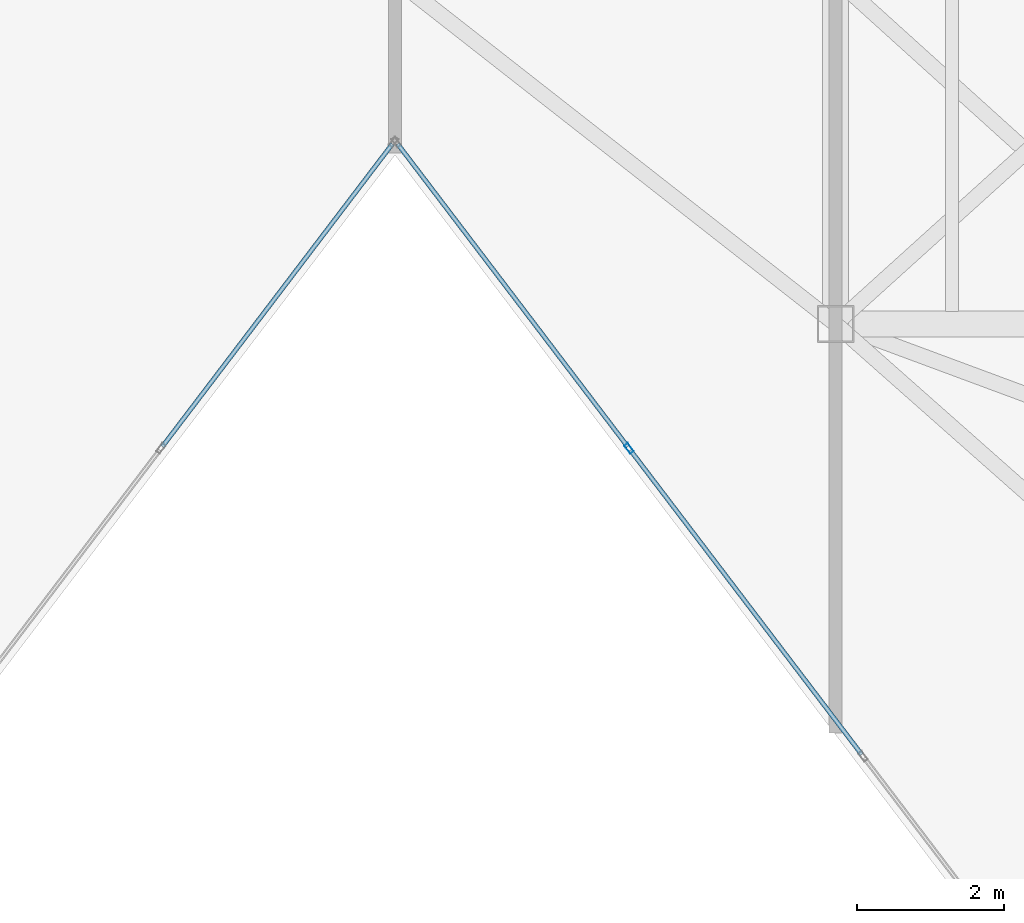
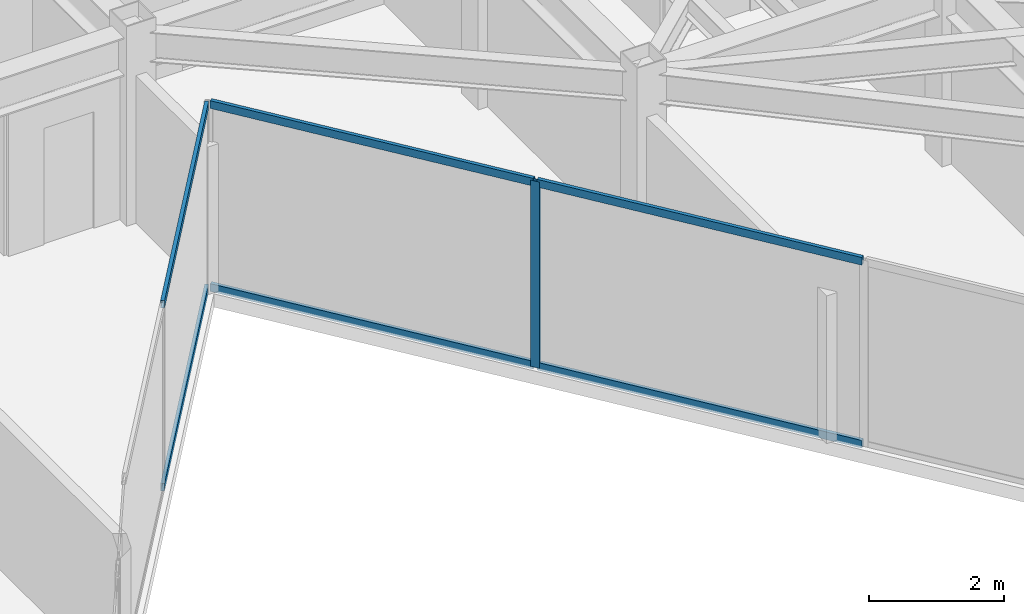
# One storey, part 5 of 21: 7 members, 2 elements without a shape of their own.
"""IFC4 building model written with IfcOpenShell, lengths in metres."""

from ifc_helpers import new_model, si_unit, direction, frame, origin, origin_2d, place, context, subcontext, project, spatial, hollow_rectangle, extrude, material, layer, layer_set, material_profile, profile_set, type_object, element, aggregate, save


model = new_model("IFC4")

# Units and contexts
model_context = context("Model", 3, precision=1e-05, world=origin(), true_north=direction((0.0, 1.0)))
body_context = subcontext(model_context, "Body", "Model", "MODEL_VIEW")
ifc_project = project(units=[si_unit("LENGTHUNIT", "METRE"), si_unit("AREAUNIT", "SQUARE_METRE"), si_unit("VOLUMEUNIT", "CUBIC_METRE"), si_unit("PLANEANGLEUNIT", "RADIAN"), si_unit("MASSUNIT", "GRAM", prefix="KILO")], contexts=[model_context])

# Site, building, storey
site_placement = place(None, origin())
site = spatial("IfcSite", under=ifc_project, at=site_placement, CompositionType="ELEMENT")
building_placement = place(site_placement, origin())
building = spatial("IfcBuilding", under=site, at=building_placement, Name="Kravanh Interchange Tower", CompositionType="ELEMENT")
storey_placement = place(building_placement, frame((0.0, 0.0, 231.0)))
storey = spatial("IfcBuildingStorey", under=building, at=storey_placement, Name="L55", CompositionType="ELEMENT", Elevation=231.0)

# Curtain wall, members
ifc_material_1 = material(Name="Anodised Bronze Aluminium", Category="aluminium")
ifc_layer = layer(ifc_material_1, 0.179931640625)
ifc_layer_set = layer_set([ifc_layer], Name="Unitised Curtain Wall System CW-HTL Luxury Hotel")
curtain_wall_type = type_object("IfcCurtainWallType", Name="Unitised Curtain Wall System CW-HTL Luxury Hotel", PredefinedType="NOTDEFINED", material=ifc_layer_set)
curtain_wall_1_placement = place(storey_placement, origin())
curtain_wall_1 = element("IfcCurtainWall", 1, at=curtain_wall_1_placement, inside=storey, type_object=curtain_wall_type, Name="L55 Unitised Curtain Wall CW-L55-04", PredefinedType="NOTDEFINED")
ifc_material_2 = material(Name="Anodised Bronze Aluminium", Category="aluminium")
ifc_material_profile_1 = material_profile(ifc_material_2, hollow_rectangle(XDim=0.06005859375, YDim=0.139892578125, WallThickness=0.00390625, at=origin_2d()), Name="ALU60X140X4")
ifc_profile_set_1 = profile_set([ifc_material_profile_1], Name="Anodised Bronze Aluminium")
member_type_1 = type_object("IfcMemberType", Name="Curtain Wall Mullion ALU60X140X4 Bronze", PredefinedType="MULLION", material=ifc_profile_set_1)
member_1_placement = place(storey_placement, frame((47.986572265625, 25.10546875, 0.0), z_axis=(0.0, 0.0, 1.0), x_axis=(-0.79616243806, -0.605082946564, 0.0)))
member_1 = element("IfcMember", 2, at=member_1_placement, type_object=member_type_1, Name="CW-HTL mullion 3", PredefinedType="MULLION", context=body_context, shape_type="SweptSolid", body=[
    extrude(hollow_rectangle(XDim=0.06005859375, YDim=0.139892578125, WallThickness=0.00390625, at=origin_2d()), origin(), (0.0, 0.0, 1.0), 3.360107421875),
])
ifc_material_3 = material(Name="Anodised Bronze Aluminium", Category="aluminium")
ifc_material_profile_2 = material_profile(ifc_material_3, hollow_rectangle(XDim=0.06005859375, YDim=0.139892578125, WallThickness=0.00390625, at=origin_2d()), Name="ALU60X140X4")
ifc_profile_set_2 = profile_set([ifc_material_profile_2], Name="Anodised Bronze Aluminium")
member_type_2 = type_object("IfcMemberType", Name="Curtain Wall Transom ALU60X140X4 Bronze", PredefinedType="USERDEFINED", material=ifc_profile_set_2)
member_2_placement = place(storey_placement, frame((51.15478515625, 20.936767578125, 0.030029296875), z_axis=(-0.60509753596, 0.796151349918, 0.0), x_axis=(-0.796151349918, -0.60509753596, 0.0)))
member_2 = element("IfcMember", 3, at=member_2_placement, type_object=member_type_2, Name="CW-HTL transom 2.1", ObjectType="TRANSOM", PredefinedType="USERDEFINED", context=body_context, shape_type="SweptSolid", body=[
    extrude(hollow_rectangle(XDim=0.06005859375, YDim=0.139892578125, WallThickness=0.00390625, at=origin_2d()), origin(), (0.0, 0.0, 1.0), 5.2060546875),
])
member_3_placement = place(storey_placement, frame((51.15478515625, 20.936767578125, 3.330078125), z_axis=(-0.60509753596, 0.796151349918, 0.0), x_axis=(-0.796151349918, -0.60509753596, 0.0)))
member_3 = element("IfcMember", 4, at=member_3_placement, type_object=member_type_2, Name="CW-HTL transom 2.2", ObjectType="TRANSOM", PredefinedType="USERDEFINED", context=body_context, shape_type="SweptSolid", body=[
    extrude(hollow_rectangle(XDim=0.06005859375, YDim=0.139892578125, WallThickness=0.00390625, at=origin_2d()), origin(), (0.0, 0.0, 1.0), 5.2060546875),
])
member_4_placement = place(storey_placement, frame((47.96826171875, 25.12939453125, 0.030029296875), z_axis=(-0.605059348861, 0.796180371747, 0.0), x_axis=(-0.796180371747, -0.605059348861, 0.0)))
member_4 = element("IfcMember", 5, at=member_4_placement, type_object=member_type_2, Name="CW-HTL transom 3.1", ObjectType="TRANSOM", PredefinedType="USERDEFINED", context=body_context, shape_type="SweptSolid", body=[
    extrude(hollow_rectangle(XDim=0.06005859375, YDim=0.139892578125, WallThickness=0.00390625, at=origin_2d()), origin(), (0.0, 0.0, 1.0), 5.176025390625),
])
member_5_placement = place(storey_placement, frame((47.96826171875, 25.12939453125, 3.330078125), z_axis=(-0.605059348861, 0.796180371747, 0.0), x_axis=(-0.796180371747, -0.605059348861, 0.0)))
member_5 = element("IfcMember", 6, at=member_5_placement, type_object=member_type_2, Name="CW-HTL transom 3.2", ObjectType="TRANSOM", PredefinedType="USERDEFINED", context=body_context, shape_type="SweptSolid", body=[
    extrude(hollow_rectangle(XDim=0.06005859375, YDim=0.139892578125, WallThickness=0.00390625, at=origin_2d()), origin(), (0.0, 0.0, 1.0), 5.176025390625),
])
aggregate(curtain_wall_1, [member_1, member_2, member_3, member_4, member_5])

curtain_wall_2_placement = place(storey_placement, origin())
curtain_wall_2 = element("IfcCurtainWall", 7, at=curtain_wall_2_placement, inside=storey, type_object=curtain_wall_type, Name="L55 Unitised Curtain Wall CW-L55-05", PredefinedType="NOTDEFINED")
member_6_placement = place(storey_placement, frame((44.763671875, 29.25048828125, 0.030029296875), z_axis=(-0.605089246946, -0.796157649734, 0.0), x_axis=(0.796157649734, -0.605089246946, 0.0)))
member_6 = element("IfcMember", 8, at=member_6_placement, type_object=member_type_2, Name="CW-HTL transom 1.1", ObjectType="TRANSOM", PredefinedType="USERDEFINED", context=body_context, shape_type="SweptSolid", body=[
    extrude(hollow_rectangle(XDim=0.06005859375, YDim=0.139892578125, WallThickness=0.00390625, at=origin_2d()), origin(), (0.0, 0.0, 1.0), 5.17626953125),
])
member_7_placement = place(storey_placement, frame((44.763671875, 29.25048828125, 3.330078125), z_axis=(-0.605089246946, -0.796157649734, 0.0), x_axis=(0.796157649734, -0.605089246946, 0.0)))
member_7 = element("IfcMember", 9, at=member_7_placement, type_object=member_type_2, Name="CW-HTL transom 1.2", ObjectType="TRANSOM", PredefinedType="USERDEFINED", context=body_context, shape_type="SweptSolid", body=[
    extrude(hollow_rectangle(XDim=0.06005859375, YDim=0.139892578125, WallThickness=0.00390625, at=origin_2d()), origin(), (0.0, 0.0, 1.0), 5.17626953125),
])
aggregate(curtain_wall_2, [member_6, member_7])

save(model, "model.ifc")
